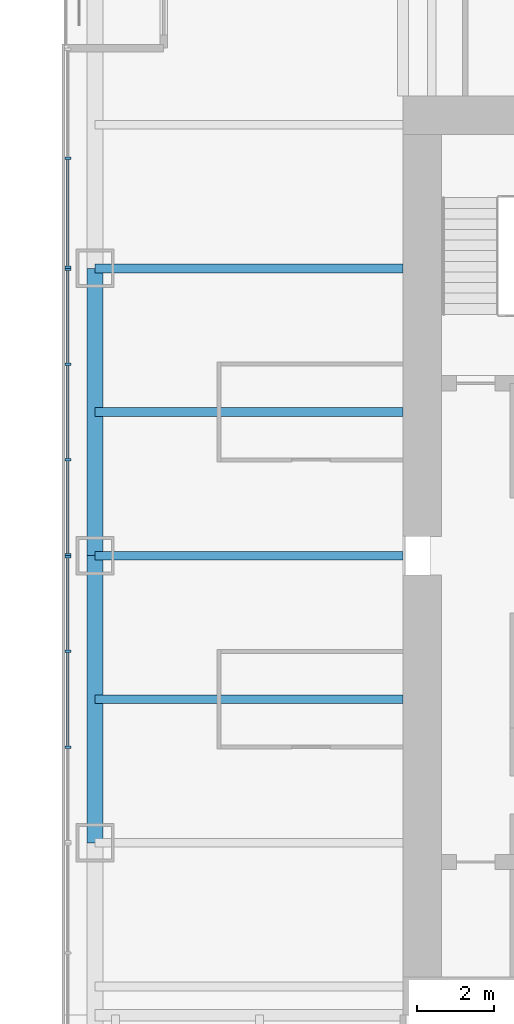
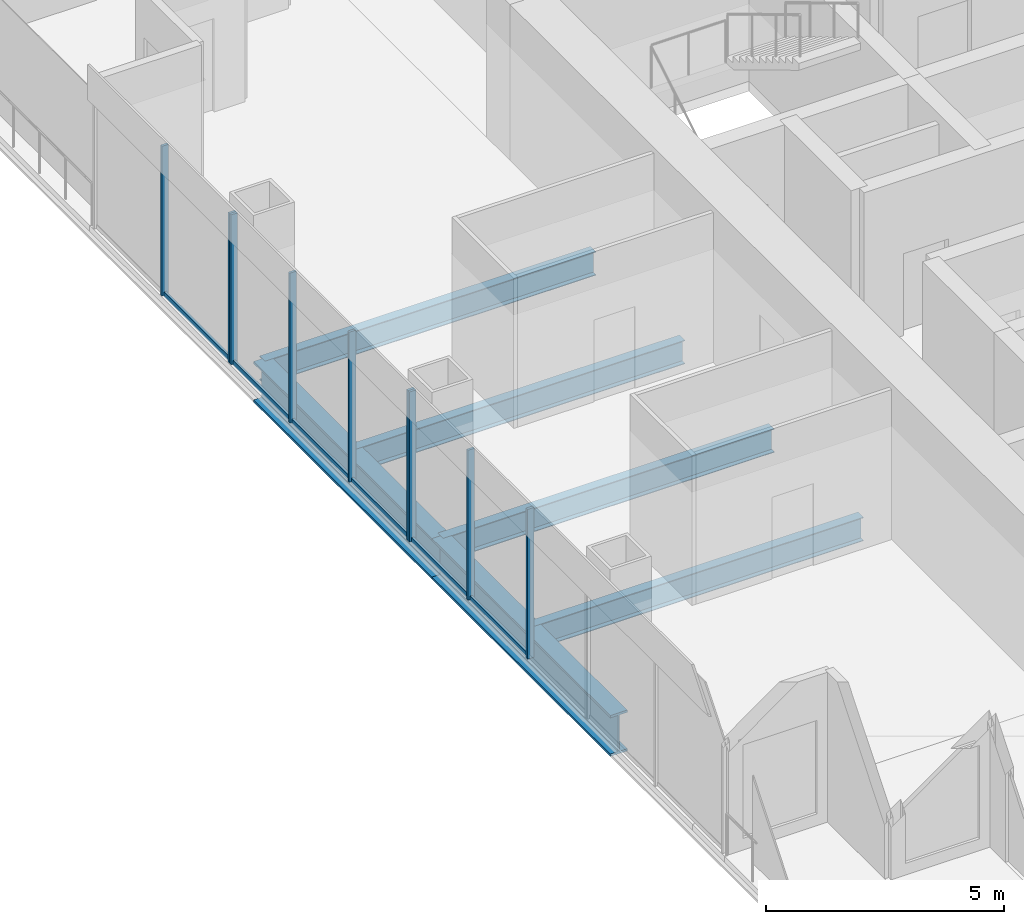
# One storey, part 4 of 14: 15 members, 6 beams, 3 elements without a shape of their own.
"""IFC4 building model written with IfcOpenShell, lengths in metres."""

import ifcopenshell
import ifcopenshell.guid

model = None  # the IFC model being written
_history = None  # IfcOwnerHistory: only IFC2X3 demands one
_inside = {}  # id of a spatial element -> (the spatial element, [elements in it])
_under = {}  # id of a project, library or spatial element -> (it, [spatial elements below it])
_declared = {}  # id of a project -> (the project, [libraries it declares])
_typed = {}  # id of a type object -> (the type object, [elements of that type])
_made_of = {}  # id of a material, layer set ... -> (it, [elements and type objects made of it])


def new_model(schema):
    """Start an empty IFC model of exactly this schema.

    Asked for "IFC4X3", IfcOpenShell would pick the latest addendum, in which some entities
    have other attributes; the version numbers below select the first issue.
    IFC2X3 requires an IfcOwnerHistory on every rooted entity: one is made here for all.
    """
    global model, _history
    if schema == "IFC4X3":
        model = ifcopenshell.file(schema_version=(4, 3, 0, 0))
    else:
        model = ifcopenshell.file(schema=schema)
    _inside.clear()
    _under.clear()
    _declared.clear()
    _typed.clear()
    _made_of.clear()
    _history = None
    if model.schema == "IFC2X3":
        org = make("IfcOrganization", Name="unknown")
        user = make(
            "IfcPersonAndOrganization",
            ThePerson=make("IfcPerson", FamilyName="unknown"),
            TheOrganization=org,
        )
        app = make(
            "IfcApplication",
            ApplicationDeveloper=org,
            Version="unknown",
            ApplicationFullName="unknown",
            ApplicationIdentifier="unknown",
        )
        _history = make(
            "IfcOwnerHistory",
            OwningUser=user,
            OwningApplication=app,
            ChangeAction="ADDED",
            CreationDate=0,
        )
    return model


def make(cls, **values):
    """One entity of the class cls with the attributes given. An attribute that is None is left unset."""
    return model.create_entity(
        cls, **{name: value for name, value in values.items() if value is not None}
    )


def rooted(cls, **values):
    """An entity with a GlobalId (a new one), such as an element, a storey or a relation."""
    return make(cls, GlobalId=ifcopenshell.guid.new(), OwnerHistory=_history, **values)


def si_unit(unit_type, name, prefix=None):
    """IfcSIUnit, for example si_unit("LENGTHUNIT", "METRE", prefix="MILLI")."""
    return make("IfcSIUnit", UnitType=unit_type, Prefix=prefix, Name=name)


def assignment(units):
    """IfcUnitAssignment: the units of a project."""
    return None if units is None else make("IfcUnitAssignment", Units=units)


def point(xyz):
    """IfcCartesianPoint."""
    return None if xyz is None else make("IfcCartesianPoint", Coordinates=xyz)


def direction(xyz):
    """IfcDirection."""
    return None if xyz is None else make("IfcDirection", DirectionRatios=xyz)


def frame(location, z_axis=None, x_axis=None):
    """IfcAxis2Placement3D, a coordinate frame: its origin and axes. An axis left out is left unset."""
    return make(
        "IfcAxis2Placement3D",
        Location=point(location),
        Axis=direction(z_axis),
        RefDirection=direction(x_axis),
    )


def frame_2d(location, x_axis=None):
    """IfcAxis2Placement2D, a coordinate frame in the plane: its origin and x axis."""
    return make(
        "IfcAxis2Placement2D", Location=point(location), RefDirection=direction(x_axis)
    )


def origin():
    """The frame at (0, 0, 0) with its axes left unset."""
    return frame((0.0, 0.0, 0.0))


def origin_2d():
    """The frame at (0, 0) in the plane with its x axis left unset."""
    return frame_2d((0.0, 0.0))


def place(relative_to, where):
    """IfcLocalPlacement: puts the frame where relative to a parent placement (None: the world)."""
    return make(
        "IfcLocalPlacement", PlacementRelTo=relative_to, RelativePlacement=where
    )


def context(
    kind, dimensions, precision=None, world=None, true_north=None, identifier=None
):
    """IfcGeometricRepresentationContext, for example the 3D "Model" context."""
    return make(
        "IfcGeometricRepresentationContext",
        ContextIdentifier=identifier,
        ContextType=kind,
        CoordinateSpaceDimension=dimensions,
        Precision=precision,
        WorldCoordinateSystem=world,
        TrueNorth=true_north,
    )


def subcontext(parent, identifier, kind, view, scale=None):
    """IfcGeometricRepresentationSubContext, for example "Body" below "Model"."""
    return make(
        "IfcGeometricRepresentationSubContext",
        ContextIdentifier=identifier,
        ContextType=kind,
        ParentContext=parent,
        TargetScale=scale,
        TargetView=view,
    )


def project(units=None, contexts=None):
    """IfcProject with its units and contexts."""
    return rooted(
        "IfcProject",
        Name="project",
        RepresentationContexts=contexts,
        UnitsInContext=assignment(units),
    )


def spatial(cls, under=None, at=None, **own):
    """A site, building, storey or space (cls), placed at a placement, below another one or the project."""
    s = rooted(cls, ObjectPlacement=at, **own)
    if under is not None:
        _under.setdefault(under.id(), (under, []))[1].append(s)
    return s


def profile(cls, at=None, kind="AREA", **sizes):
    """A parametric profile (cls). Its sizes go by their IFC names, for example OverallWidth=200.0."""
    return make(cls, ProfileType=kind, Position=at, **sizes)


def rectangle(**sizes):
    """IfcRectangleProfileDef."""
    return profile("IfcRectangleProfileDef", **sizes)


def i_section(**sizes):
    """IfcIShapeProfileDef."""
    return profile("IfcIShapeProfileDef", **sizes)


def extrude(swept, where, along, depth):
    """IfcExtrudedAreaSolid: the profile swept, set in the frame where, extruded along a direction by depth."""
    return make(
        "IfcExtrudedAreaSolid",
        SweptArea=swept,
        Position=where,
        ExtrudedDirection=direction(along),
        Depth=depth,
    )


def shape(context_of_items, identifier, shape_type, items):
    """IfcShapeRepresentation: the items that make up one representation, for example the "Body"."""
    return make(
        "IfcShapeRepresentation",
        ContextOfItems=context_of_items,
        RepresentationIdentifier=identifier,
        RepresentationType=shape_type,
        Items=items,
    )


def material(Name=None, Category=None):
    """IfcMaterial."""
    return make("IfcMaterial", Name=Name, Category=Category)


def material_profile(
    of_material, cross_section, Name=None, Category=None, Priority=None
):
    """IfcMaterialProfile: a cross section and its material."""
    return make(
        "IfcMaterialProfile",
        Name=Name,
        Material=of_material,
        Profile=cross_section,
        Priority=Priority,
        Category=Category,
    )


def profile_set(profiles, Name=None, composite=None):
    """IfcMaterialProfileSet."""
    return make(
        "IfcMaterialProfileSet",
        Name=Name,
        MaterialProfiles=profiles,
        CompositeProfile=composite,
    )


def made_of(thing, what):
    """Note that an element or type object is made of a material, layer set ...; save() writes the relation."""
    if what is not None:
        _made_of.setdefault(what.id(), (what, []))[1].append(thing)
    return thing


def type_object(cls, material=None, **own):
    """A type object (cls), such as IfcWallType, which elements share."""
    return made_of(rooted(cls, **own), material)


def element(
    cls,
    number,
    at=None,
    inside=None,
    cuts=None,
    type_object=None,
    material=None,
    context=None,
    identifier="Body",
    shape_type=None,
    held_by="IfcProductDefinitionShape",
    body=None,
    shapes=None,
    **own,
):
    """One element of the class cls, such as IfcWall. Its Tag is "e" and its number.

    at: its placement. inside: the storey or other place that contains it. cuts: it is an
    opening in that element (IfcRelVoidsElement). A single representation is given by context,
    identifier, shape_type and body (its items); several are given by shapes. held_by: the class
    of the entity that holds the representations. save() writes the other relations.
    """
    e = rooted(cls, Tag="e%d" % number, ObjectPlacement=at, **own)
    if body is not None:
        shapes = [shape(context, identifier, shape_type, body)]
    if shapes is not None:
        e.Representation = make(held_by, Representations=shapes)
    if inside is not None:
        _inside.setdefault(inside.id(), (inside, []))[1].append(e)
    if cuts is not None:
        rooted(
            "IfcRelVoidsElement", RelatingBuildingElement=cuts, RelatedOpeningElement=e
        )
    if type_object is not None:
        _typed.setdefault(type_object.id(), (type_object, []))[1].append(e)
    return made_of(e, material)


def aggregate(whole, parts):
    """IfcRelAggregates: a whole, such as a stair, and the parts it consists of."""
    return rooted("IfcRelAggregates", RelatingObject=whole, RelatedObjects=parts)


def save(model, path):
    """Write the relations noted so far, then the file.

    IfcRelAggregates (storeys below a building ...), IfcRelContainedInSpatialStructure (elements
    in a storey), IfcRelDefinesByType, IfcRelAssociatesMaterial and IfcRelDeclares: one each for
    every whole, place, type object, material and project.
    """
    for whole, parts in _under.values():
        aggregate(whole, parts)
    for where, things in _inside.values():
        rooted(
            "IfcRelContainedInSpatialStructure",
            RelatedElements=things,
            RelatingStructure=where,
        )
    for kind, things in _typed.values():
        rooted("IfcRelDefinesByType", RelatedObjects=things, RelatingType=kind)
    for what, things in _made_of.values():
        rooted("IfcRelAssociatesMaterial", RelatedObjects=things, RelatingMaterial=what)
    for by, libraries in _declared.values():
        rooted("IfcRelDeclares", RelatingContext=by, RelatedDefinitions=libraries)
    model.write(path)


model = new_model("IFC4")

# Units and contexts
model_context = context("Model", 3, precision=1e-05, world=origin(), true_north=direction((0.0, 1.0)))
body_context = subcontext(model_context, "Body", "Model", "MODEL_VIEW")
ifc_project = project(units=[si_unit("LENGTHUNIT", "METRE"), si_unit("AREAUNIT", "SQUARE_METRE"), si_unit("VOLUMEUNIT", "CUBIC_METRE"), si_unit("PLANEANGLEUNIT", "RADIAN"), si_unit("MASSUNIT", "GRAM", prefix="KILO")], contexts=[model_context])

# Site, building, storey
site_placement = place(None, origin())
site = spatial("IfcSite", under=ifc_project, at=site_placement, CompositionType="ELEMENT")
building_placement = place(site_placement, origin())
building = spatial("IfcBuilding", under=site, at=building_placement, Name="Tarangal Relay Tower", CompositionType="ELEMENT")
storey_placement = place(building_placement, frame((0.0, 0.0, 291.89990234375)))
storey = spatial("IfcBuildingStorey", under=building, at=storey_placement, Name="L64", CompositionType="ELEMENT", Elevation=291.89990234375)

# Beams
ifc_material_1 = material(Name="Steel ASTM A992", Category="steel")
ifc_material_profile_1 = material_profile(ifc_material_1, i_section(OverallWidth=0.41162109375, OverallDepth=1.049072265625, WebThickness=0.033935546875, FlangeThickness=0.059814453125, at=origin_2d()), Name="W40X431")
ifc_profile_set_1 = profile_set([ifc_material_profile_1], Name="Steel ASTM A992")
beam_type_1 = type_object("IfcBeamType", Name="Edge girder W40X431", PredefinedType="SPANDREL", material=ifc_profile_set_1)
for number, where, z_axis, x_axis, name in (
    (1, (-20.0400390625, -7.5, -0.67431640625), (0.0, 1.0, 0.0), (-1.0, 0.0, 0.0), "Edge girder EG1 W L64"),
    (2, (-20.0400390625, 0.0, -0.67431640625), (0.0, 1.0, 0.0), (-1.0, 0.0, 0.0), "Edge girder EG1 W L64"),
):
    element("IfcBeam", number, at=place(storey_placement, frame(where, z_axis=z_axis, x_axis=x_axis)), inside=storey, type_object=beam_type_1, Name=name, PredefinedType="SPANDREL", context=body_context, shape_type="SweptSolid", body=[
        extrude(i_section(OverallWidth=0.41162109375, OverallDepth=1.049072265625, WebThickness=0.033935546875, FlangeThickness=0.059814453125, at=origin_2d()), origin(), (0.0, 0.0, 1.0), 7.5),
    ])
ifc_material_profile_2 = material_profile(ifc_material_1, i_section(OverallWidth=0.228271484375, OverallDepth=0.607177734375, WebThickness=0.01123046875, FlangeThickness=0.017333984375, at=origin_2d()), Name="W24X76")
ifc_profile_set_2 = profile_set([ifc_material_profile_2], Name="Steel ASTM A992")
beam_type_2 = type_object("IfcBeamType", Name="Floor beam W24X76", PredefinedType="BEAM", material=ifc_profile_set_2)
for number, where, z_axis, x_axis, name in (
    (3, (-12.0, -3.75, -0.453369140625), (-1.0, 0.0, 0.0), (0.0, -1.0, 0.0), "Floor beam RB5 W L64"),
    (4, (-12.0, 0.0, -0.453369140625), (-1.0, 0.0, 0.0), (0.0, -1.0, 0.0), "Floor beam RB5 W L64"),
    (5, (-12.0, 3.75, -0.453369140625), (-1.0, 0.0, 0.0), (0.0, -1.0, 0.0), "Floor beam RB5 W L64"),
    (6, (-12.0, 7.5, -0.453369140625), (-1.0, 0.0, 0.0), (0.0, -1.0, 0.0), "Floor beam RB5 W L64"),
):
    element("IfcBeam", number, at=place(storey_placement, frame(where, z_axis=z_axis, x_axis=x_axis)), inside=storey, type_object=beam_type_2, Name=name, PredefinedType="BEAM", context=body_context, shape_type="SweptSolid", body=[
        extrude(i_section(OverallWidth=0.228271484375, OverallDepth=0.607177734375, WebThickness=0.01123046875, FlangeThickness=0.017333984375, at=origin_2d()), origin(), (0.0, 0.0, 1.0), 8.0400390625),
    ])

# Curtain wall, members
ifc_material_2 = material(Name="Unitised curtain wall, dark glass and black aluminium", Category="aluminium")
curtain_wall_type = type_object("IfcCurtainWallType", Name="Curtain wall CW-B", PredefinedType="USERDEFINED", material=ifc_material_2)
curtain_wall_1_placement = place(storey_placement, origin())
curtain_wall_1 = element("IfcCurtainWall", 7, at=curtain_wall_1_placement, inside=storey, type_object=curtain_wall_type, Name="Curtain wall CW-B W facade L64", ObjectType="UNITISED CURTAIN WALL", PredefinedType="USERDEFINED")
ifc_material_3 = material(Name="Black anodised aluminium mullion", Category="aluminium")
ifc_material_profile_3 = material_profile(ifc_material_3, rectangle(XDim=0.159912109375, YDim=0.06005859375, at=origin_2d()), Name="CW-BM 60X160")
ifc_profile_set_3 = profile_set([ifc_material_profile_3], Name="Black anodised aluminium mullion")
member_type_1 = type_object("IfcMemberType", Name="Mullion CW-B 60 x 160", PredefinedType="MULLION", material=ifc_profile_set_3)
member_1_placement = place(storey_placement, frame((-20.75, -5.0, 0.0), z_axis=(0.0, 0.0, 1.0), x_axis=(-1.0, 0.0, 0.0)))
member_1 = element("IfcMember", 8, at=member_1_placement, type_object=member_type_1, Name="CW-B mullion 2", PredefinedType="MULLION", context=body_context, shape_type="SweptSolid", body=[
    extrude(rectangle(XDim=0.159912109375, YDim=0.06005859375, at=origin_2d()), origin(), (0.0, 0.0, 1.0), 3.85009765625),
])
member_2_placement = place(storey_placement, frame((-20.75, -2.5, 0.0), z_axis=(0.0, 0.0, 1.0), x_axis=(-1.0, 0.0, 0.0)))
member_2 = element("IfcMember", 9, at=member_2_placement, type_object=member_type_1, Name="CW-B mullion 3", PredefinedType="MULLION", context=body_context, shape_type="SweptSolid", body=[
    extrude(rectangle(XDim=0.159912109375, YDim=0.06005859375, at=origin_2d()), origin(), (0.0, 0.0, 1.0), 3.85009765625),
])
member_3_placement = place(storey_placement, frame((-20.75, -0.030029296875, 0.0), z_axis=(0.0, 0.0, 1.0), x_axis=(-1.0, 0.0, 0.0)))
member_3 = element("IfcMember", 10, at=member_3_placement, type_object=member_type_1, Name="CW-B mullion 4", PredefinedType="MULLION", context=body_context, shape_type="SweptSolid", body=[
    extrude(rectangle(XDim=0.159912109375, YDim=0.06005859375, at=origin_2d()), origin(), (0.0, 0.0, 1.0), 3.85009765625),
])

curtain_wall_2_placement = place(storey_placement, origin())
curtain_wall_2 = element("IfcCurtainWall", 11, at=curtain_wall_2_placement, inside=storey, type_object=curtain_wall_type, Name="Curtain wall CW-B W facade L64", ObjectType="UNITISED CURTAIN WALL", PredefinedType="USERDEFINED")
member_4_placement = place(storey_placement, frame((-20.75, 0.030029296875, 0.0), z_axis=(0.0, 0.0, 1.0), x_axis=(-1.0, 0.0, 0.0)))
member_4 = element("IfcMember", 12, at=member_4_placement, type_object=member_type_1, Name="CW-B mullion 1", PredefinedType="MULLION", context=body_context, shape_type="SweptSolid", body=[
    extrude(rectangle(XDim=0.159912109375, YDim=0.06005859375, at=origin_2d()), origin(), (0.0, 0.0, 1.0), 3.85009765625),
])
member_5_placement = place(storey_placement, frame((-20.75, 2.5, 0.0), z_axis=(0.0, 0.0, 1.0), x_axis=(-1.0, 0.0, 0.0)))
member_5 = element("IfcMember", 13, at=member_5_placement, type_object=member_type_1, Name="CW-B mullion 2", PredefinedType="MULLION", context=body_context, shape_type="SweptSolid", body=[
    extrude(rectangle(XDim=0.159912109375, YDim=0.06005859375, at=origin_2d()), origin(), (0.0, 0.0, 1.0), 3.85009765625),
])
member_6_placement = place(storey_placement, frame((-20.75, 5.0, 0.0), z_axis=(0.0, 0.0, 1.0), x_axis=(-1.0, 0.0, 0.0)))
member_6 = element("IfcMember", 14, at=member_6_placement, type_object=member_type_1, Name="CW-B mullion 3", PredefinedType="MULLION", context=body_context, shape_type="SweptSolid", body=[
    extrude(rectangle(XDim=0.159912109375, YDim=0.06005859375, at=origin_2d()), origin(), (0.0, 0.0, 1.0), 3.85009765625),
])
member_7_placement = place(storey_placement, frame((-20.75, 7.469970703125, 0.0), z_axis=(0.0, 0.0, 1.0), x_axis=(-1.0, 0.0, 0.0)))
member_7 = element("IfcMember", 15, at=member_7_placement, type_object=member_type_1, Name="CW-B mullion 4", PredefinedType="MULLION", context=body_context, shape_type="SweptSolid", body=[
    extrude(rectangle(XDim=0.159912109375, YDim=0.06005859375, at=origin_2d()), origin(), (0.0, 0.0, 1.0), 3.85009765625),
])

curtain_wall_3_placement = place(storey_placement, origin())
curtain_wall_3 = element("IfcCurtainWall", 16, at=curtain_wall_3_placement, inside=storey, type_object=curtain_wall_type, Name="Curtain wall CW-B W facade L64", ObjectType="UNITISED CURTAIN WALL", PredefinedType="USERDEFINED")
member_8_placement = place(storey_placement, frame((-20.75, 7.530029296875, 0.0), z_axis=(0.0, 0.0, 1.0), x_axis=(-1.0, 0.0, 0.0)))
member_8 = element("IfcMember", 17, at=member_8_placement, type_object=member_type_1, Name="CW-B mullion 1", PredefinedType="MULLION", context=body_context, shape_type="SweptSolid", body=[
    extrude(rectangle(XDim=0.159912109375, YDim=0.06005859375, at=origin_2d()), origin(), (0.0, 0.0, 1.0), 3.85009765625),
])
member_9_placement = place(storey_placement, frame((-20.75, 10.375, 0.0), z_axis=(0.0, 0.0, 1.0), x_axis=(-1.0, 0.0, 0.0)))
member_9 = element("IfcMember", 18, at=member_9_placement, type_object=member_type_1, Name="CW-B mullion 2", PredefinedType="MULLION", context=body_context, shape_type="SweptSolid", body=[
    extrude(rectangle(XDim=0.159912109375, YDim=0.06005859375, at=origin_2d()), origin(), (0.0, 0.0, 1.0), 3.85009765625),
])

# Member
ifc_material_4 = material(Name="Black anodised aluminium transom", Category="aluminium")
ifc_material_profile_4 = material_profile(ifc_material_4, rectangle(XDim=0.06005859375, YDim=0.1298828125, at=origin_2d()), Name="CW-BT 60X130")
ifc_profile_set_4 = profile_set([ifc_material_profile_4], Name="Black anodised aluminium transom")
member_type_2 = type_object("IfcMemberType", Name="Transom CW-B 60 x 130", PredefinedType="USERDEFINED", material=ifc_profile_set_4)
member_10_placement = place(storey_placement, frame((-20.75, -4.969970703125, 0.030029296875), z_axis=(0.0, 1.0, 0.0), x_axis=(-1.0, 0.0, 0.0)))
member_10 = element("IfcMember", 19, at=member_10_placement, type_object=member_type_2, Name="CW-B transom 2.1", ObjectType="TRANSOM", PredefinedType="USERDEFINED", context=body_context, shape_type="SweptSolid", body=[
    extrude(rectangle(XDim=0.06005859375, YDim=0.1298828125, at=origin_2d()), origin(), (0.0, 0.0, 1.0), 2.43994140625),
])

member_11_placement = place(storey_placement, frame((-20.75, -2.469970703125, 0.030029296875), z_axis=(0.0, 1.0, 0.0), x_axis=(-1.0, 0.0, 0.0)))
member_11 = element("IfcMember", 20, at=member_11_placement, type_object=member_type_2, Name="CW-B transom 3.1", ObjectType="TRANSOM", PredefinedType="USERDEFINED", context=body_context, shape_type="SweptSolid", body=[
    extrude(rectangle(XDim=0.06005859375, YDim=0.1298828125, at=origin_2d()), origin(), (0.0, 0.0, 1.0), 2.409912109375),
])

aggregate(curtain_wall_1, [member_1, member_2, member_3, member_10, member_11])

member_12_placement = place(storey_placement, frame((-20.75, 0.06005859375, 0.030029296875), z_axis=(0.0, 1.0, 0.0), x_axis=(-1.0, 0.0, 0.0)))
member_12 = element("IfcMember", 21, at=member_12_placement, type_object=member_type_2, Name="CW-B transom 1.1", ObjectType="TRANSOM", PredefinedType="USERDEFINED", context=body_context, shape_type="SweptSolid", body=[
    extrude(rectangle(XDim=0.06005859375, YDim=0.1298828125, at=origin_2d()), origin(), (0.0, 0.0, 1.0), 2.409912109375),
])

member_13_placement = place(storey_placement, frame((-20.75, 2.530029296875, 0.030029296875), z_axis=(0.0, 1.0, 0.0), x_axis=(-1.0, 0.0, 0.0)))
member_13 = element("IfcMember", 22, at=member_13_placement, type_object=member_type_2, Name="CW-B transom 2.1", ObjectType="TRANSOM", PredefinedType="USERDEFINED", context=body_context, shape_type="SweptSolid", body=[
    extrude(rectangle(XDim=0.06005859375, YDim=0.1298828125, at=origin_2d()), origin(), (0.0, 0.0, 1.0), 2.43994140625),
])

member_14_placement = place(storey_placement, frame((-20.75, 5.030029296875, 0.030029296875), z_axis=(0.0, 1.0, 0.0), x_axis=(-1.0, 0.0, 0.0)))
member_14 = element("IfcMember", 23, at=member_14_placement, type_object=member_type_2, Name="CW-B transom 3.1", ObjectType="TRANSOM", PredefinedType="USERDEFINED", context=body_context, shape_type="SweptSolid", body=[
    extrude(rectangle(XDim=0.06005859375, YDim=0.1298828125, at=origin_2d()), origin(), (0.0, 0.0, 1.0), 2.409912109375),
])

aggregate(curtain_wall_2, [member_4, member_5, member_6, member_7, member_12, member_13, member_14])

member_15_placement = place(storey_placement, frame((-20.75, 7.56005859375, 0.030029296875), z_axis=(0.0, 1.0, 0.0), x_axis=(-1.0, 0.0, 0.0)))
member_15 = element("IfcMember", 24, at=member_15_placement, type_object=member_type_2, Name="CW-B transom 1.1", ObjectType="TRANSOM", PredefinedType="USERDEFINED", context=body_context, shape_type="SweptSolid", body=[
    extrude(rectangle(XDim=0.06005859375, YDim=0.1298828125, at=origin_2d()), origin(), (0.0, 0.0, 1.0), 2.784912109375),
])

aggregate(curtain_wall_3, [member_8, member_9, member_15])

save(model, "model.ifc")
